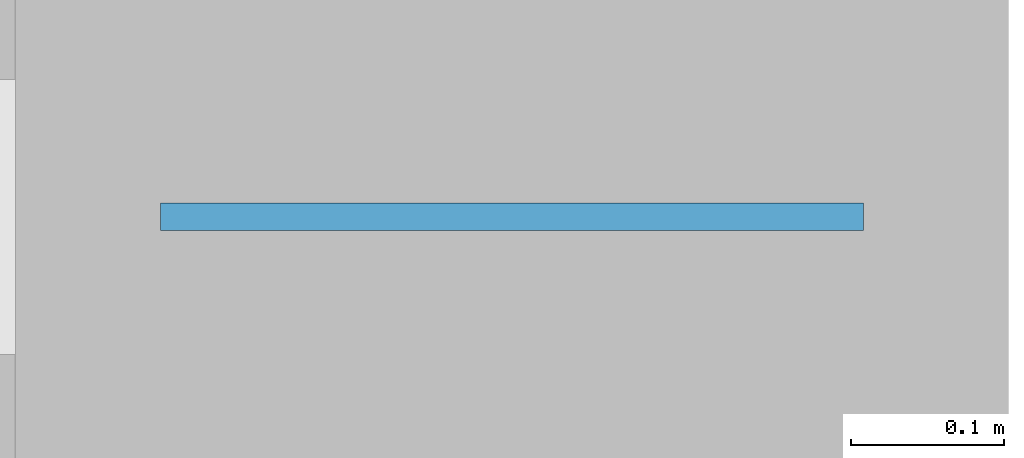
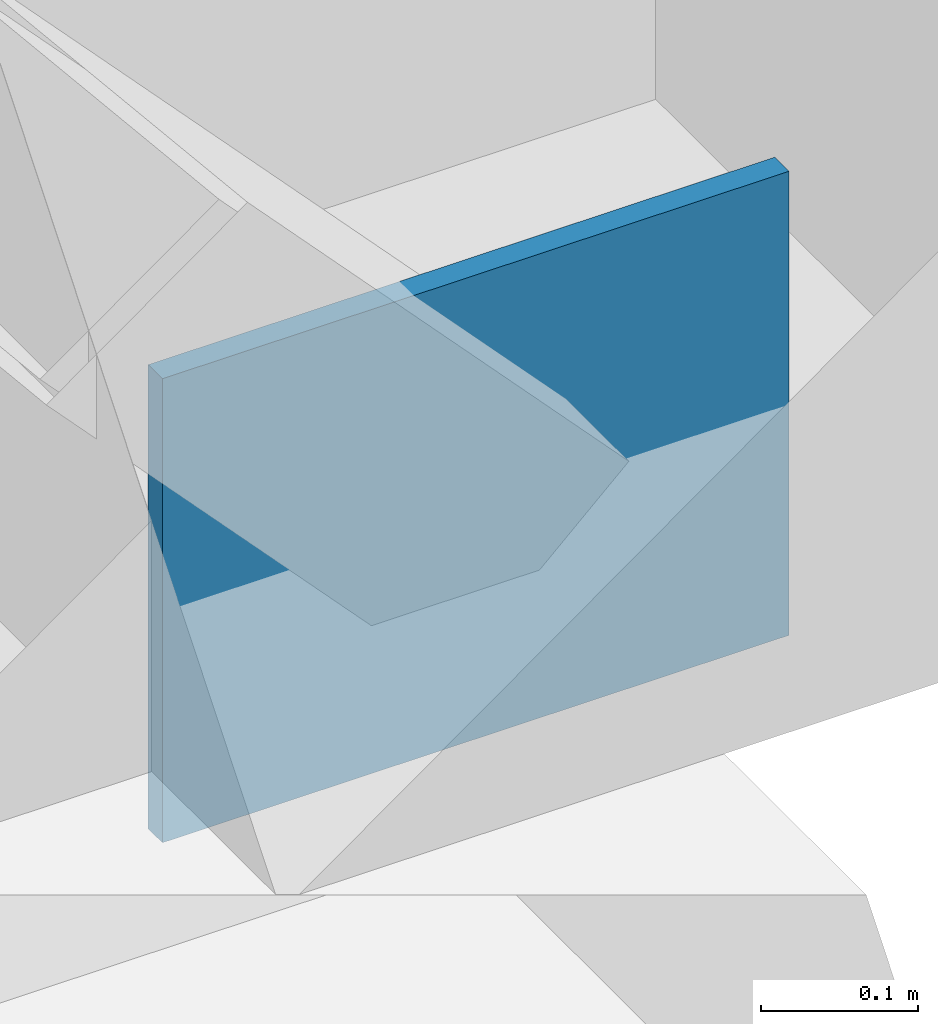
# One storey, part 118 of 171: 1 plate.
"""IFC4 building model written with IfcOpenShell, lengths in metres."""

from ifc_helpers import new_model, si_unit, direction, frame, origin, origin_2d, place, context, subcontext, project, spatial, rectangle, extrude, material, layer, layer_set, type_object, element, save


model = new_model("IFC4")

# Units and contexts
model_context = context("Model", 3, precision=1e-05, world=origin(), true_north=direction((0.0, 1.0)))
body_context = subcontext(model_context, "Body", "Model", "MODEL_VIEW")
ifc_project = project(units=[si_unit("LENGTHUNIT", "METRE"), si_unit("AREAUNIT", "SQUARE_METRE"), si_unit("VOLUMEUNIT", "CUBIC_METRE"), si_unit("PLANEANGLEUNIT", "RADIAN"), si_unit("MASSUNIT", "GRAM", prefix="KILO")], contexts=[model_context])

# Site, building, storey
site_placement = place(None, origin())
site = spatial("IfcSite", under=ifc_project, at=site_placement, CompositionType="ELEMENT")
building_placement = place(site_placement, origin())
building = spatial("IfcBuilding", under=site, at=building_placement, Name="Aldebral Square Health Centre", CompositionType="ELEMENT")
storey_placement = place(building_placement, frame((0.0, 0.0, 4.5)))
storey = spatial("IfcBuildingStorey", under=building, at=storey_placement, Name="L01", CompositionType="ELEMENT", Elevation=4.5)

# Plate
ifc_material = material(Name="Steel S355JR", Category="steel")
ifc_layer = layer(ifc_material, 0.01806640625, Name="Steel S355JR", Category="steel")
ifc_layer_set = layer_set([ifc_layer], Name="Steel S355JR")
plate_type = type_object("IfcPlateType", Name="PL-GUS-5", PredefinedType="USERDEFINED", material=ifc_layer_set)
plate_placement = place(storey_placement, frame((165.60009765625, 115.199951171875, -0.18017578125), z_axis=(0.0, 0.0, 1.0), x_axis=(1.0, 0.0, 0.0)))
element("IfcPlate", 1, at=plate_placement, inside=storey, type_object=plate_type, Name="L01 north chevron brace 23 east base gusset plate", ObjectType="GUSSET_PLATE", PredefinedType="USERDEFINED", context=body_context, shape_type="SweptSolid", body=[
    extrude(rectangle(XDim=0.4599609375, YDim=0.01806640625, at=origin_2d()), origin(), (0.0, 0.0, 1.0), 0.360107421875),
])

save(model, "model.ifc")
